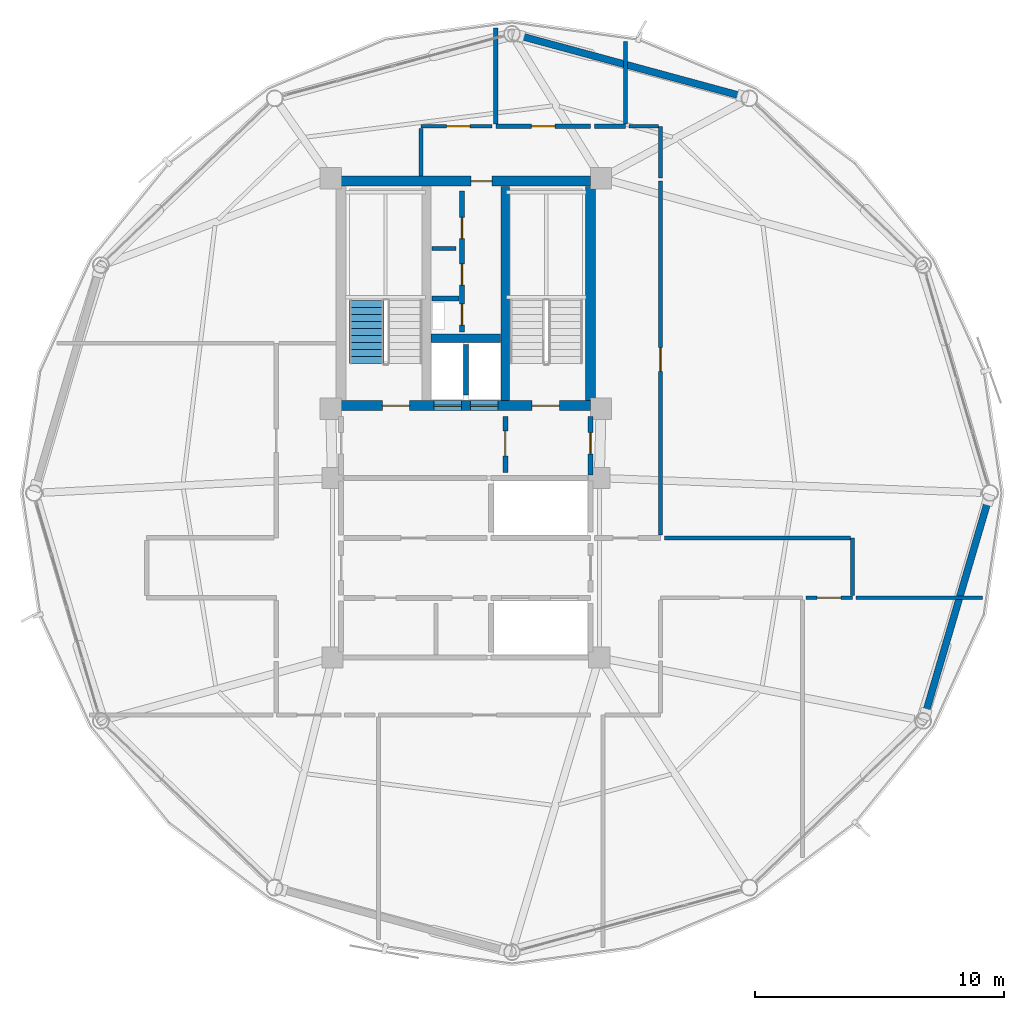
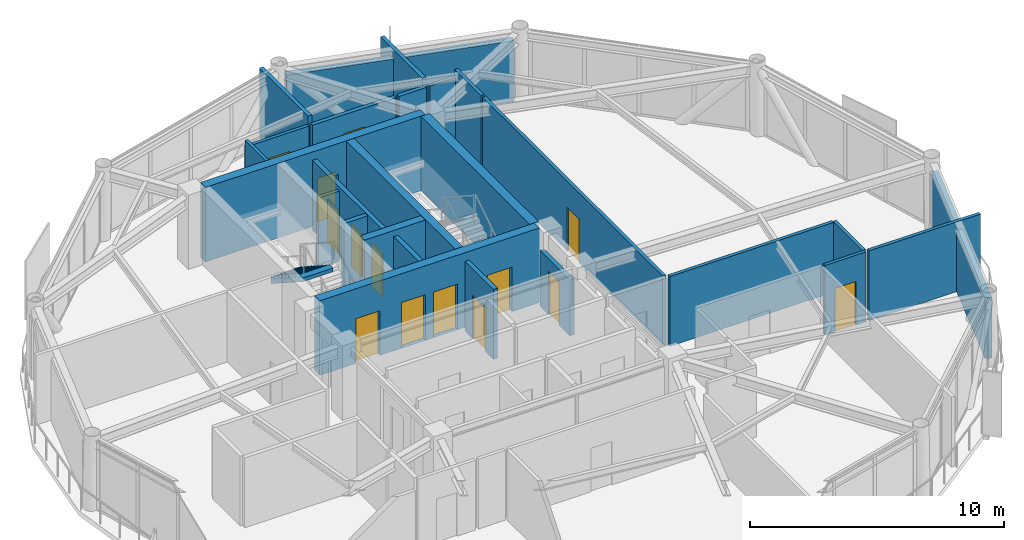
# One storey, part 24 of 28: 26 walls, 14 doors, 1 stair flight, 14 openings, 1 element without a shape of its own.
"""IFC4 building model written with IfcOpenShell, lengths in metres."""

from ifc_helpers import new_model, si_unit, direction, frame, frame_2d, origin, place, context, subcontext, project, spatial, polyline, rectangle, outline, extrude, material, layer, layer_set, type_object, element, fill, aggregate, save


model = new_model("IFC4")

# Units and contexts
model_context = context("Model", 3, precision=1e-05, world=origin(), true_north=direction((0.0, 1.0)))
body_context = subcontext(model_context, "Body", "Model", "MODEL_VIEW")
ifc_project = project(units=[si_unit("LENGTHUNIT", "METRE"), si_unit("AREAUNIT", "SQUARE_METRE"), si_unit("VOLUMEUNIT", "CUBIC_METRE"), si_unit("PLANEANGLEUNIT", "RADIAN"), si_unit("MASSUNIT", "GRAM", prefix="KILO")], contexts=[model_context])

# Site, building, storey
site_placement = place(None, origin())
site = spatial("IfcSite", under=ifc_project, at=site_placement, CompositionType="ELEMENT")
building_placement = place(site_placement, origin())
building = spatial("IfcBuilding", under=site, at=building_placement, Name="Varnakorn Sky Granary", CompositionType="ELEMENT")
storey_placement = place(building_placement, frame((0.0, 0.0, 211.199951171875)))
storey = spatial("IfcBuildingStorey", under=building, at=storey_placement, Name="L53", CompositionType="ELEMENT", Elevation=211.199951171875)

# Walls
ifc_material_1 = material(Name="Concrete C50/60", Category="concrete")
ifc_layer_1 = layer(ifc_material_1, 0.35009765625, Name="Concrete C50/60")
ifc_layer_set_1 = layer_set([ifc_layer_1], Name="Concrete C50/60")
wall_type_1 = type_object("IfcWallType", Name="WT-CW-INT-350", PredefinedType="SHEAR", material=ifc_layer_set_1)
wall_1_placement = place(storey_placement, frame((4.580078125, 3.7099609375, 0.0), z_axis=(0.0, 0.0, 1.0), x_axis=(0.0, 1.0, 0.0)))
element("IfcWall", 1, at=wall_1_placement, inside=storey, type_object=wall_type_1, Name="Stair ST-2 Core Wall L53", PredefinedType="SHEAR", context=body_context, shape_type="SweptSolid", body=[
    extrude(rectangle(XDim=8.580078125, YDim=0.35009765625, at=frame_2d((4.2900390625, 0.0))), origin(), (0.0, 0.0, 1.0), 3.592041015625),
])
wall_2_placement = place(storey_placement, frame((1.610107421875, 6.199951171875, 0.0), z_axis=(0.0, 0.0, 1.0), x_axis=(1.0, 0.0, 0.0)))
element("IfcWall", 2, at=wall_2_placement, inside=storey, type_object=wall_type_1, Name="Core Lift Shaft Cross Wall L53", PredefinedType="SHEAR", context=body_context, shape_type="SweptSolid", body=[
    extrude(rectangle(XDim=2.77978515625, YDim=0.35009765625, at=frame_2d((1.389892578125, 0.0))), origin(), (0.0, 0.0, 1.0), 3.592041015625),
])

# Wall, openings, doors
ifc_layer_2 = layer(ifc_material_1, 0.39990234375, Name="Concrete C50/60")
ifc_layer_set_2 = layer_set([ifc_layer_2], Name="Concrete C50/60")
wall_type_2 = type_object("IfcWallType", Name="WT-CW-SHEAR-400", PredefinedType="SHEAR", material=ifc_layer_set_2)
wall_3_placement = place(storey_placement, frame((-2.0, 3.5, 0.0), z_axis=(0.0, 0.0, 1.0), x_axis=(1.0, 0.0, 0.0)))
wall_3 = element("IfcWall", 3, at=wall_3_placement, inside=storey, type_object=wall_type_2, Name="Core South Shear Wall L53", PredefinedType="SHEAR", context=body_context, shape_type="SweptSolid", body=[
    extrude(rectangle(XDim=10.0, YDim=0.39990234375, at=frame_2d((5.0, 0.0))), origin(), (0.0, 0.0, 1.0), 3.592041015625),
])
opening_1_placement = place(wall_3_placement, frame((1.64990234375, 0.0, 0.0)))
opening_1 = element("IfcOpeningElement", 4, at=opening_1_placement, cuts=wall_3, Name="Opening FD-90", PredefinedType="OPENING", context=body_context, shape_type="SweptSolid", body=[
    extrude(rectangle(XDim=1.10009765625, YDim=2.14990234375, at=frame_2d((0.550048828125, 1.074951171875))), frame((0.0, 0.2099609375, 0.0), z_axis=(0.0, -1.0, 0.0), x_axis=(1.0, 0.0, 0.0)), (0.0, 0.0, 1.0), 0.419921875),
])
opening_2_placement = place(wall_3_placement, frame((7.64990234375, 0.0, 0.0)))
opening_2 = element("IfcOpeningElement", 5, at=opening_2_placement, cuts=wall_3, Name="Opening FD-90", PredefinedType="OPENING", context=body_context, shape_type="SweptSolid", body=[
    extrude(rectangle(XDim=1.10009765625, YDim=2.14990234375, at=frame_2d((0.550048828125, 1.074951171875))), frame((0.0, 0.2099609375, 0.0), z_axis=(0.0, -1.0, 0.0), x_axis=(1.0, 0.0, 0.0)), (0.0, 0.0, 1.0), 0.419921875),
])
opening_3_placement = place(wall_3_placement, frame((3.719970703125, 0.0, 0.0)))
opening_3 = element("IfcOpeningElement", 6, at=opening_3_placement, cuts=wall_3, Name="Opening LD-01", PredefinedType="OPENING", context=body_context, shape_type="SweptSolid", body=[
    extrude(rectangle(XDim=1.10009765625, YDim=2.199951171875, at=frame_2d((0.550048828125, 1.10009765625))), frame((0.0, 0.2099609375, 0.0), z_axis=(0.0, -1.0, 0.0), x_axis=(1.0, 0.0, 0.0)), (0.0, 0.0, 1.0), 0.419921875),
])
opening_4_placement = place(wall_3_placement, frame((5.179931640625, 0.0, 0.0)))
opening_4 = element("IfcOpeningElement", 7, at=opening_4_placement, cuts=wall_3, Name="Opening LD-01", PredefinedType="OPENING", context=body_context, shape_type="SweptSolid", body=[
    extrude(rectangle(XDim=1.10009765625, YDim=2.199951171875, at=frame_2d((0.550048828125, 1.10009765625))), frame((0.0, 0.2099609375, 0.0), z_axis=(0.0, -1.0, 0.0), x_axis=(1.0, 0.0, 0.0)), (0.0, 0.0, 1.0), 0.419921875),
])
ifc_material_2 = material(Name="Brushed Bronze Stainless Steel", Category="steel")
door_type_1 = type_object("IfcDoorType", Name="DR-LD-1100", OperationType="DOUBLE_DOOR_SLIDING", PredefinedType="DOOR", material=ifc_material_2)
door_1_placement = place(opening_3_placement, origin())
door_1 = element("IfcDoor", 8, at=door_1_placement, inside=storey, type_object=door_type_1, Name="Firefighting Lift FFL-1 Landing Door L53", OperationType="DOUBLE_DOOR_SLIDING", OverallHeight=2.199951171875, OverallWidth=1.10009765625, PredefinedType="DOOR", context=body_context, shape_type="SweptSolid", body=[
    extrude(rectangle(XDim=1.10009765625, YDim=2.199951171875, at=frame_2d((0.550048828125, 1.10009765625))), frame((0.0, 0.02490234375, 0.0), z_axis=(0.0, -1.0, 0.0), x_axis=(1.0, 0.0, 0.0)), (0.0, 0.0, 1.0), 0.050048828125),
])
fill(opening_3, door_1)
door_2_placement = place(opening_4_placement, origin())
door_2 = element("IfcDoor", 9, at=door_2_placement, inside=storey, type_object=door_type_1, Name="Firefighting Lift FFL-2 Landing Door L53", OperationType="DOUBLE_DOOR_SLIDING", OverallHeight=2.199951171875, OverallWidth=1.10009765625, PredefinedType="DOOR", context=body_context, shape_type="SweptSolid", body=[
    extrude(rectangle(XDim=1.10009765625, YDim=2.199951171875, at=frame_2d((0.550048828125, 1.10009765625))), frame((0.0, 0.02490234375, 0.0), z_axis=(0.0, -1.0, 0.0), x_axis=(1.0, 0.0, 0.0)), (0.0, 0.0, 1.0), 0.050048828125),
])
fill(opening_4, door_2)
ifc_material_3 = material(Name="Galvanised Painted Steel Leaf", Category="steel")
door_type_2 = type_object("IfcDoorType", Name="DR-STAIR-1100", OperationType="NOTDEFINED", PredefinedType="DOOR", material=ifc_material_3)
door_3_placement = place(opening_1_placement, origin())
door_3 = element("IfcDoor", 10, at=door_3_placement, inside=storey, type_object=door_type_2, Name="Stair ST-1 Protected Fire Door L53", OperationType="SINGLE_SWING_LEFT", OverallHeight=2.14990234375, OverallWidth=1.10009765625, PredefinedType="DOOR", context=body_context, shape_type="SweptSolid", body=[
    extrude(rectangle(XDim=1.10009765625, YDim=2.14990234375, at=frame_2d((0.550048828125, 1.074951171875))), frame((0.0, 0.02490234375, 0.0), z_axis=(0.0, -1.0, 0.0), x_axis=(1.0, 0.0, 0.0)), (0.0, 0.0, 1.0), 0.050048828125),
])
fill(opening_1, door_3)
door_4_placement = place(opening_2_placement, origin())
door_4 = element("IfcDoor", 11, at=door_4_placement, inside=storey, type_object=door_type_2, Name="Stair ST-2 Protected Fire Door L53", OperationType="SINGLE_SWING_RIGHT", OverallHeight=2.14990234375, OverallWidth=1.10009765625, PredefinedType="DOOR", context=body_context, shape_type="SweptSolid", body=[
    extrude(rectangle(XDim=1.10009765625, YDim=2.14990234375, at=frame_2d((0.550048828125, 1.074951171875))), frame((0.0, 0.02490234375, 0.0), z_axis=(0.0, -1.0, 0.0), x_axis=(1.0, 0.0, 0.0)), (0.0, 0.0, 1.0), 0.050048828125),
])
fill(opening_2, door_4)

# Wall, opening, door
wall_4_placement = place(storey_placement, frame((-2.0, 12.5, 0.0), z_axis=(0.0, 0.0, 1.0), x_axis=(1.0, 0.0, 0.0)))
wall_4 = element("IfcWall", 12, at=wall_4_placement, inside=storey, type_object=wall_type_2, Name="Core North Shear Wall L53", PredefinedType="SHEAR", context=body_context, shape_type="SweptSolid", body=[
    extrude(rectangle(XDim=10.0, YDim=0.39990234375, at=frame_2d((5.0, 0.0))), origin(), (0.0, 0.0, 1.0), 3.592041015625),
])
opening_5_placement = place(wall_4_placement, frame((5.199951171875, 0.0, 0.0)))
opening_5 = element("IfcOpeningElement", 13, at=opening_5_placement, cuts=wall_4, Name="Opening FD-60N", PredefinedType="OPENING", context=body_context, shape_type="SweptSolid", body=[
    extrude(rectangle(XDim=0.85009765625, YDim=2.10009765625, at=frame_2d((0.425048828125, 1.050048828125))), frame((0.0, 0.2099609375, 0.0), z_axis=(0.0, -1.0, 0.0), x_axis=(1.0, 0.0, 0.0)), (0.0, 0.0, 1.0), 0.419921875),
])
ifc_material_4 = material(Name="Acoustic Timber Fire Leaf", Category="wood")
door_type_3 = type_object("IfcDoorType", Name="DR-FD60-850", OperationType="NOTDEFINED", PredefinedType="DOOR", material=ifc_material_4)
door_5_placement = place(opening_5_placement, origin())
door_5 = element("IfcDoor", 14, at=door_5_placement, inside=storey, type_object=door_type_3, Name="Core North Service Door L53", OperationType="SINGLE_SWING_LEFT", OverallHeight=2.10009765625, OverallWidth=0.85009765625, PredefinedType="DOOR", context=body_context, shape_type="SweptSolid", body=[
    extrude(rectangle(XDim=0.85009765625, YDim=2.10009765625, at=frame_2d((0.425048828125, 1.050048828125))), frame((0.0, 0.02490234375, 0.0), z_axis=(0.0, -1.0, 0.0), x_axis=(1.0, 0.0, 0.0)), (0.0, 0.0, 1.0), 0.050048828125),
])
fill(opening_5, door_5)

# Walls
wall_5_placement = place(storey_placement, frame((8.0, 3.7099609375, 0.0), z_axis=(0.0, 0.0, 1.0), x_axis=(0.0, 1.0, 0.0)))
element("IfcWall", 15, at=wall_5_placement, inside=storey, type_object=wall_type_2, Name="Core East Shear Wall L53", PredefinedType="SHEAR", context=body_context, shape_type="SweptSolid", body=[
    extrude(rectangle(XDim=8.580078125, YDim=0.39990234375, at=frame_2d((4.2900390625, 0.0))), origin(), (0.0, 0.0, 1.0), 3.592041015625),
])
ifc_material_5 = material(Name="Precast concrete C40/50", Category="concrete")
ifc_layer_3 = layer(ifc_material_5, 0.280029296875, Name="Precast concrete C40/50")
ifc_layer_set_3 = layer_set([ifc_layer_3], Name="Precast concrete C40/50")
wall_type_3 = type_object("IfcWallType", Name="WT-EW-CRN-280", PredefinedType="SOLIDWALL", material=ifc_layer_set_3)
wall_6_placement = place(storey_placement, frame((5.125, 18.33642578125, 0.0), z_axis=(0.0, 0.0, 1.0), x_axis=(0.965084405361, -0.261939096983, 0.0)))
element("IfcWall", 16, at=wall_6_placement, inside=storey, type_object=wall_type_3, Name="Agritech Insulated Precast Facade Wall L53-P03", PredefinedType="SOLIDWALL", context=body_context, shape_type="SweptSolid", body=[
    extrude(rectangle(XDim=9.29345703125, YDim=0.280029296875, at=frame_2d((4.646728515625, 0.0))), origin(), (0.0, 0.0, 1.0), 2.929931640625),
])
wall_7_placement = place(storey_placement, frame((23.942626953125, -0.2734375, 0.0), z_axis=(0.0, 0.0, 1.0), x_axis=(-0.281972946309, -0.959422356186, 0.0)))
element("IfcWall", 17, at=wall_7_placement, inside=storey, type_object=wall_type_3, Name="Agritech Insulated Precast Facade Wall L53-P12", PredefinedType="SOLIDWALL", context=body_context, shape_type="SweptSolid", body=[
    extrude(rectangle(XDim=8.954345703125, YDim=0.280029296875, at=frame_2d((4.47705078125, 0.0))), origin(), (0.0, 0.0, 1.0), 2.929931640625),
])

# Wall, openings, doors
ifc_material_6 = material(Name="Autoclaved Aerated Concrete Blockwork", Category="masonry")
ifc_layer_4 = layer(ifc_material_6, 0.199951171875, Name="Autoclaved Aerated Concrete Blockwork")
ifc_layer_set_4 = layer_set([ifc_layer_4], Name="Autoclaved Aerated Concrete Blockwork")
wall_type_4 = type_object("IfcWallType", Name="WT-FIRE-200", PredefinedType="MOVABLE", material=ifc_layer_set_4)
wall_8_placement = place(storey_placement, frame((2.85009765625, 6.449951171875, 0.0), z_axis=(0.0, 0.0, 1.0), x_axis=(0.0, 1.0, 0.0)))
wall_8 = element("IfcWall", 18, at=wall_8_placement, inside=storey, type_object=wall_type_4, Name="Interior Partition Wall L53-011", PredefinedType="MOVABLE", context=body_context, shape_type="SweptSolid", body=[
    extrude(rectangle(XDim=5.650146484375, YDim=0.199951171875, at=frame_2d((2.8251953125, 0.0))), origin(), (0.0, 0.0, 1.0), 3.360107421875),
])
opening_6_placement = place(wall_8_placement, frame((1.8798828125, 0.0, 0.0)))
opening_6 = element("IfcOpeningElement", 19, at=opening_6_placement, cuts=wall_8, Name="Opening RD-85", PredefinedType="OPENING", context=body_context, shape_type="SweptSolid", body=[
    extrude(rectangle(XDim=0.85009765625, YDim=2.050048828125, at=frame_2d((0.425048828125, 1.02490234375))), frame((0.0, 0.10986328125, 0.0), z_axis=(0.0, -1.0, 0.0), x_axis=(1.0, 0.0, 0.0)), (0.0, 0.0, 1.0), 0.219970703125),
])
opening_7_placement = place(wall_8_placement, frame((3.75, 0.0, 0.0)))
opening_7 = element("IfcOpeningElement", 20, at=opening_7_placement, cuts=wall_8, Name="Opening FD-60N", PredefinedType="OPENING", context=body_context, shape_type="SweptSolid", body=[
    extrude(rectangle(XDim=0.85009765625, YDim=2.10009765625, at=frame_2d((0.425048828125, 1.050048828125))), frame((0.0, 0.10986328125, 0.0), z_axis=(0.0, -1.0, 0.0), x_axis=(1.0, 0.0, 0.0)), (0.0, 0.0, 1.0), 0.219970703125),
])
opening_8_placement = place(wall_8_placement, frame((0.280029296875, 0.0, 0.0)))
opening_8 = element("IfcOpeningElement", 21, at=opening_8_placement, cuts=wall_8, Name="Opening FD-60N", PredefinedType="OPENING", context=body_context, shape_type="SweptSolid", body=[
    extrude(rectangle(XDim=0.85009765625, YDim=2.10009765625, at=frame_2d((0.425048828125, 1.050048828125))), frame((0.0, 0.10986328125, 0.0), z_axis=(0.0, -1.0, 0.0), x_axis=(1.0, 0.0, 0.0)), (0.0, 0.0, 1.0), 0.219970703125),
])
door_6_placement = place(opening_7_placement, origin())
door_6 = element("IfcDoor", 22, at=door_6_placement, inside=storey, type_object=door_type_3, Name="Interior Door L53-011-2", OperationType="SINGLE_SWING_LEFT", OverallHeight=2.10009765625, OverallWidth=0.85009765625, PredefinedType="DOOR", context=body_context, shape_type="SweptSolid", body=[
    extrude(rectangle(XDim=0.85009765625, YDim=2.10009765625, at=frame_2d((0.425048828125, 1.050048828125))), frame((0.0, 0.02490234375, 0.0), z_axis=(0.0, -1.0, 0.0), x_axis=(1.0, 0.0, 0.0)), (0.0, 0.0, 1.0), 0.050048828125),
])
fill(opening_7, door_6)
door_7_placement = place(opening_8_placement, origin())
door_7 = element("IfcDoor", 23, at=door_7_placement, inside=storey, type_object=door_type_3, Name="Interior Door L53-011-3", OperationType="SINGLE_SWING_RIGHT", OverallHeight=2.10009765625, OverallWidth=0.85009765625, PredefinedType="DOOR", context=body_context, shape_type="SweptSolid", body=[
    extrude(rectangle(XDim=0.85009765625, YDim=2.10009765625, at=frame_2d((0.425048828125, 1.050048828125))), frame((0.0, 0.02490234375, 0.0), z_axis=(0.0, -1.0, 0.0), x_axis=(1.0, 0.0, 0.0)), (0.0, 0.0, 1.0), 0.050048828125),
])
fill(opening_8, door_7)
door_type_4 = type_object("IfcDoorType", Name="DR-RIS-850", OperationType="NOTDEFINED", PredefinedType="DOOR", material=ifc_material_3)
door_8_placement = place(opening_6_placement, origin())
door_8 = element("IfcDoor", 24, at=door_8_placement, inside=storey, type_object=door_type_4, Name="MEP Riser Shaft Access Door L53-011-1", OperationType="SINGLE_SWING_RIGHT", OverallHeight=2.050048828125, OverallWidth=0.85009765625, PredefinedType="DOOR", context=body_context, shape_type="SweptSolid", body=[
    extrude(rectangle(XDim=0.85009765625, YDim=2.050048828125, at=frame_2d((0.425048828125, 1.02490234375))), frame((0.0, 0.02490234375, 0.0), z_axis=(0.0, -1.0, 0.0), x_axis=(1.0, 0.0, 0.0)), (0.0, 0.0, 1.0), 0.050048828125),
])
fill(opening_6, door_8)

# Wall, opening, door
wall_9_placement = place(storey_placement, frame((4.580078125, 0.830078125, 0.0), z_axis=(0.0, 0.0, 1.0), x_axis=(0.0, 1.0, 0.0)))
wall_9 = element("IfcWall", 25, at=wall_9_placement, inside=storey, type_object=wall_type_4, Name="Interior Partition Wall L53-012", PredefinedType="MOVABLE", context=body_context, shape_type="SweptSolid", body=[
    extrude(rectangle(XDim=2.239990234375, YDim=0.199951171875, at=frame_2d((1.1201171875, 0.0))), origin(), (0.0, 0.0, 1.0), 3.360107421875),
])
opening_9_placement = place(wall_9_placement, frame((0.659912109375, 0.0, 0.0)))
opening_9 = element("IfcOpeningElement", 26, at=opening_9_placement, cuts=wall_9, Name="Opening FD-60", PredefinedType="OPENING", context=body_context, shape_type="SweptSolid", body=[
    extrude(rectangle(XDim=1.0, YDim=2.10009765625, at=frame_2d((0.5, 1.050048828125))), frame((0.0, 0.10986328125, 0.0), z_axis=(0.0, -1.0, 0.0), x_axis=(1.0, 0.0, 0.0)), (0.0, 0.0, 1.0), 0.219970703125),
])
door_type_5 = type_object("IfcDoorType", Name="DR-FD60-1000", OperationType="NOTDEFINED", PredefinedType="DOOR", material=ifc_material_4)
door_9_placement = place(opening_9_placement, origin())
door_9 = element("IfcDoor", 27, at=door_9_placement, inside=storey, type_object=door_type_5, Name="Interior Door L53-012-1", OperationType="SINGLE_SWING_LEFT", OverallHeight=2.10009765625, OverallWidth=1.0, PredefinedType="DOOR", context=body_context, shape_type="SweptSolid", body=[
    extrude(rectangle(XDim=1.0, YDim=2.10009765625, at=frame_2d((0.5, 1.050048828125))), frame((0.0, 0.02490234375, 0.0), z_axis=(0.0, -1.0, 0.0), x_axis=(1.0, 0.0, 0.0)), (0.0, 0.0, 1.0), 0.050048828125),
])
fill(opening_9, door_9)

wall_10_placement = place(storey_placement, frame((8.0, 0.719970703125, 0.0), z_axis=(0.0, 0.0, 1.0), x_axis=(0.0, 1.0, 0.0)))
wall_10 = element("IfcWall", 28, at=wall_10_placement, inside=storey, type_object=wall_type_4, Name="Interior Partition Wall L53-014", PredefinedType="MOVABLE", context=body_context, shape_type="SweptSolid", body=[
    extrude(rectangle(XDim=2.35009765625, YDim=0.199951171875, at=frame_2d((1.175048828125, 0.0))), origin(), (0.0, 0.0, 1.0), 2.692138671875),
])
opening_10_placement = place(wall_10_placement, frame((0.844970703125, 0.0, 0.0)))
opening_10 = element("IfcOpeningElement", 29, at=opening_10_placement, cuts=wall_10, Name="Opening FD-60N", PredefinedType="OPENING", context=body_context, shape_type="SweptSolid", body=[
    extrude(rectangle(XDim=0.85009765625, YDim=2.10009765625, at=frame_2d((0.425048828125, 1.050048828125))), frame((0.0, 0.10986328125, 0.0), z_axis=(0.0, -1.0, 0.0), x_axis=(1.0, 0.0, 0.0)), (0.0, 0.0, 1.0), 0.219970703125),
])
door_10_placement = place(opening_10_placement, origin())
door_10 = element("IfcDoor", 30, at=door_10_placement, inside=storey, type_object=door_type_3, Name="Interior Door L53-014-1", OperationType="SINGLE_SWING_LEFT", OverallHeight=2.10009765625, OverallWidth=0.85009765625, PredefinedType="DOOR", context=body_context, shape_type="SweptSolid", body=[
    extrude(rectangle(XDim=0.85009765625, YDim=2.10009765625, at=frame_2d((0.425048828125, 1.050048828125))), frame((0.0, 0.02490234375, 0.0), z_axis=(0.0, -1.0, 0.0), x_axis=(1.0, 0.0, 0.0)), (0.0, 0.0, 1.0), 0.050048828125),
])
fill(opening_10, door_10)

ifc_material_7 = material(Name="Gypsum Plasterboard on Steel Stud", Category="steel")
ifc_layer_5 = layer(ifc_material_7, 0.14990234375, Name="Gypsum Plasterboard on Steel Stud")
ifc_layer_set_5 = layer_set([ifc_layer_5], Name="Gypsum Plasterboard on Steel Stud")
wall_type_5 = type_object("IfcWallType", Name="WT-PART-150", PredefinedType="PARTITIONING", material=ifc_layer_set_5)
wall_11_placement = place(storey_placement, frame((16.635009765625, -4.199951171875, 0.0), z_axis=(0.0, 0.0, 1.0), x_axis=(1.0, 0.0, 0.0)))
wall_11 = element("IfcWall", 31, at=wall_11_placement, inside=storey, type_object=wall_type_5, Name="Interior Partition Wall L53-024", PredefinedType="PARTITIONING", context=body_context, shape_type="SweptSolid", body=[
    extrude(rectangle(XDim=1.864990234375, YDim=0.14990234375, at=frame_2d((0.9326171875, 0.0))), origin(), (0.0, 0.0, 1.0), 3.360107421875),
])
opening_11_placement = place(wall_11_placement, frame((0.449951171875, 0.0, 0.0)))
opening_11 = element("IfcOpeningElement", 32, at=opening_11_placement, cuts=wall_11, Name="Opening ID-95", PredefinedType="OPENING", context=body_context, shape_type="SweptSolid", body=[
    extrude(rectangle(XDim=0.949951171875, YDim=2.10009765625, at=frame_2d((0.47509765625, 1.050048828125))), frame((0.0, 0.0849609375, 0.0), z_axis=(0.0, -1.0, 0.0), x_axis=(1.0, 0.0, 0.0)), (0.0, 0.0, 1.0), 0.169921875),
])
ifc_material_8 = material(Name="Solid-Core Teak Veneer Leaf", Category="timber")
door_type_6 = type_object("IfcDoorType", Name="DR-INT-950", OperationType="NOTDEFINED", PredefinedType="DOOR", material=ifc_material_8)
door_11_placement = place(opening_11_placement, origin())
door_11 = element("IfcDoor", 33, at=door_11_placement, inside=storey, type_object=door_type_6, Name="Interior Door L53-024-1", OperationType="SINGLE_SWING_RIGHT", OverallHeight=2.10009765625, OverallWidth=0.949951171875, PredefinedType="DOOR", context=body_context, shape_type="SweptSolid", body=[
    extrude(rectangle(XDim=0.949951171875, YDim=2.10009765625, at=frame_2d((0.47509765625, 1.050048828125))), frame((0.0, 0.02490234375, 0.0), z_axis=(0.0, -1.0, 0.0), x_axis=(1.0, 0.0, 0.0)), (0.0, 0.0, 1.0), 0.050048828125),
])
fill(opening_11, door_11)

wall_12_placement = place(storey_placement, frame((4.050048828125, 14.699951171875, 0.0), z_axis=(0.0, 0.0, 1.0), x_axis=(-1.0, 0.0, 0.0)))
wall_12 = element("IfcWall", 34, at=wall_12_placement, inside=storey, type_object=wall_type_5, Name="Interior Partition Wall L53-026", PredefinedType="PARTITIONING", context=body_context, shape_type="SweptSolid", body=[
    extrude(rectangle(XDim=2.85009765625, YDim=0.14990234375, at=frame_2d((1.425048828125, 0.0))), origin(), (0.0, 0.0, 1.0), 3.011962890625),
])
opening_12_placement = place(wall_12_placement, frame((0.875, 0.0, 0.0)))
opening_12 = element("IfcOpeningElement", 35, at=opening_12_placement, cuts=wall_12, Name="Opening ID-95", PredefinedType="OPENING", context=body_context, shape_type="SweptSolid", body=[
    extrude(rectangle(XDim=0.949951171875, YDim=2.10009765625, at=frame_2d((0.47509765625, 1.050048828125))), frame((0.0, 0.0849609375, 0.0), z_axis=(0.0, -1.0, 0.0), x_axis=(1.0, 0.0, 0.0)), (0.0, 0.0, 1.0), 0.169921875),
])
door_12_placement = place(opening_12_placement, origin())
door_12 = element("IfcDoor", 36, at=door_12_placement, inside=storey, type_object=door_type_6, Name="Interior Door L53-026-1", OperationType="SINGLE_SWING_RIGHT", OverallHeight=2.10009765625, OverallWidth=0.949951171875, PredefinedType="DOOR", context=body_context, shape_type="SweptSolid", body=[
    extrude(rectangle(XDim=0.949951171875, YDim=2.10009765625, at=frame_2d((0.47509765625, 1.050048828125))), frame((0.0, 0.02490234375, 0.0), z_axis=(0.0, -1.0, 0.0), x_axis=(1.0, 0.0, 0.0)), (0.0, 0.0, 1.0), 0.050048828125),
])
fill(opening_12, door_12)

wall_13_placement = place(storey_placement, frame((10.800048828125, -1.68994140625, 0.0), z_axis=(0.0, 0.0, 1.0), x_axis=(0.0, 1.0, 0.0)))
wall_13 = element("IfcWall", 37, at=wall_13_placement, inside=storey, type_object=wall_type_5, Name="Interior Partition Wall L53-027", PredefinedType="PARTITIONING", context=body_context, shape_type="SweptSolid", body=[
    extrude(rectangle(XDim=14.18994140625, YDim=0.14990234375, at=frame_2d((7.094970703125, 0.0))), origin(), (0.0, 0.0, 1.0), 3.360107421875),
])
opening_13_placement = place(wall_13_placement, frame((6.56494140625, 0.0, 0.0)))
opening_13 = element("IfcOpeningElement", 38, at=opening_13_placement, cuts=wall_13, Name="Opening ID-95", PredefinedType="OPENING", context=body_context, shape_type="SweptSolid", body=[
    extrude(rectangle(XDim=0.949951171875, YDim=2.10009765625, at=frame_2d((0.47509765625, 1.050048828125))), frame((0.0, 0.0849609375, 0.0), z_axis=(0.0, -1.0, 0.0), x_axis=(1.0, 0.0, 0.0)), (0.0, 0.0, 1.0), 0.169921875),
])
door_13_placement = place(opening_13_placement, origin())
door_13 = element("IfcDoor", 39, at=door_13_placement, inside=storey, type_object=door_type_6, Name="Interior Door L53-027-1", OperationType="SINGLE_SWING_LEFT", OverallHeight=2.10009765625, OverallWidth=0.949951171875, PredefinedType="DOOR", context=body_context, shape_type="SweptSolid", body=[
    extrude(rectangle(XDim=0.949951171875, YDim=2.10009765625, at=frame_2d((0.47509765625, 1.050048828125))), frame((0.0, 0.02490234375, 0.0), z_axis=(0.0, -1.0, 0.0), x_axis=(1.0, 0.0, 0.0)), (0.0, 0.0, 1.0), 0.050048828125),
])
fill(opening_13, door_13)

# Walls
wall_14_placement = place(storey_placement, frame((1.64990234375, 9.800048828125, 0.0), z_axis=(0.0, 0.0, 1.0), x_axis=(1.0, 0.0, 0.0)))
element("IfcWall", 40, at=wall_14_placement, inside=storey, type_object=wall_type_5, Name="Interior Partition Wall L53-028", PredefinedType="PARTITIONING", context=body_context, shape_type="SweptSolid", body=[
    extrude(rectangle(XDim=0.960205078125, YDim=0.14990234375, at=frame_2d((0.47998046875, 0.0))), origin(), (0.0, 0.0, 1.0), 3.360107421875),
])
wall_15_placement = place(storey_placement, frame((18.635009765625, -4.199951171875, 0.0), z_axis=(0.0, 0.0, 1.0), x_axis=(1.0, 0.0, 0.0)))
element("IfcWall", 41, at=wall_15_placement, inside=storey, type_object=wall_type_5, Name="Interior Partition Wall L53-043", PredefinedType="PARTITIONING", context=body_context, shape_type="SweptSolid", body=[
    extrude(rectangle(XDim=5.0830078125, YDim=0.14990234375, at=frame_2d((2.54150390625, 0.0))), origin(), (0.0, 0.0, 1.0), 3.360107421875),
])
wall_16_placement = place(storey_placement, frame((1.199951171875, 14.614990234375, 0.0), z_axis=(0.0, 0.0, 1.0), x_axis=(0.0, -1.0, 0.0)))
element("IfcWall", 42, at=wall_16_placement, inside=storey, type_object=wall_type_5, Name="Interior Partition Wall L53-050", PredefinedType="PARTITIONING", context=body_context, shape_type="SweptSolid", body=[
    extrude(rectangle(XDim=1.905029296875, YDim=0.14990234375, at=frame_2d((0.95263671875, 0.0))), origin(), (0.0, 0.0, 1.0), 3.360107421875),
])
wall_17_placement = place(storey_placement, frame((10.800048828125, 12.635009765625, 0.0), z_axis=(0.0, 0.0, 1.0), x_axis=(0.0, 1.0, 0.0)))
element("IfcWall", 43, at=wall_17_placement, inside=storey, type_object=wall_type_5, Name="Interior Partition Wall L53-053", PredefinedType="PARTITIONING", context=body_context, shape_type="SweptSolid", body=[
    extrude(rectangle(XDim=2.06494140625, YDim=0.14990234375, at=frame_2d((1.032470703125, 0.0))), origin(), (0.0, 0.0, 1.0), 3.360107421875),
])
wall_18_placement = place(storey_placement, frame((10.715087890625, 14.699951171875, 0.0), z_axis=(0.0, 0.0, 1.0), x_axis=(-1.0, 0.0, 0.0)))
element("IfcWall", 44, at=wall_18_placement, inside=storey, type_object=wall_type_5, Name="Interior Partition Wall L53-054", PredefinedType="PARTITIONING", context=body_context, shape_type="SweptSolid", body=[
    extrude(rectangle(XDim=1.1650390625, YDim=0.14990234375, at=frame_2d((0.58251953125, 0.0))), origin(), (0.0, 0.0, 1.0), 3.011962890625),
])
wall_19_placement = place(storey_placement, frame((18.5, -4.114990234375, 0.0), z_axis=(0.0, 0.0, 1.0), x_axis=(0.0, 1.0, 0.0)))
element("IfcWall", 45, at=wall_19_placement, inside=storey, type_object=wall_type_5, Name="Interior Partition Wall L53-055", PredefinedType="PARTITIONING", context=body_context, shape_type="SweptSolid", body=[
    extrude(rectangle(XDim=2.31494140625, YDim=0.14990234375, at=frame_2d((1.157470703125, 0.0))), origin(), (0.0, 0.0, 1.0), 3.360107421875),
])
wall_20_placement = place(storey_placement, frame((18.4150390625, -1.800048828125, 0.0), z_axis=(0.0, 0.0, 1.0), x_axis=(-1.0, 0.0, 0.0)))
element("IfcWall", 46, at=wall_20_placement, inside=storey, type_object=wall_type_5, Name="Interior Partition Wall L53-056", PredefinedType="PARTITIONING", context=body_context, shape_type="SweptSolid", body=[
    extrude(rectangle(XDim=7.455078125, YDim=0.14990234375, at=frame_2d((3.7275390625, 0.0))), origin(), (0.0, 0.0, 1.0), 3.360107421875),
])

# Wall, opening, door
ifc_material_9 = material(Name="Moisture-Resistant Gypsum on Stud", Category="gypsum")
ifc_layer_6 = layer(ifc_material_9, 0.179931640625, Name="Moisture-Resistant Gypsum on Stud")
ifc_layer_set_6 = layer_set([ifc_layer_6], Name="Moisture-Resistant Gypsum on Stud")
wall_type_6 = type_object("IfcWallType", Name="WT-PLUMB-180", PredefinedType="PLUMBINGWALL", material=ifc_layer_set_6)
wall_21_placement = place(storey_placement, frame((8.0, 14.699951171875, 0.0), z_axis=(0.0, 0.0, 1.0), x_axis=(-1.0, 0.0, 0.0)))
wall_21 = element("IfcWall", 47, at=wall_21_placement, inside=storey, type_object=wall_type_6, Name="Interior Partition Wall L53-020", PredefinedType="PLUMBINGWALL", context=body_context, shape_type="SweptSolid", body=[
    extrude(rectangle(XDim=3.800048828125, YDim=0.179931640625, at=frame_2d((1.89990234375, 0.0))), origin(), (0.0, 0.0, 1.0), 3.011962890625),
])
opening_14_placement = place(wall_21_placement, frame((1.425048828125, 0.0, 0.0)))
opening_14 = element("IfcOpeningElement", 48, at=opening_14_placement, cuts=wall_21, Name="Opening ID-95", PredefinedType="OPENING", context=body_context, shape_type="SweptSolid", body=[
    extrude(rectangle(XDim=0.949951171875, YDim=2.10009765625, at=frame_2d((0.47509765625, 1.050048828125))), frame((0.0, 0.10009765625, 0.0), z_axis=(0.0, -1.0, 0.0), x_axis=(1.0, 0.0, 0.0)), (0.0, 0.0, 1.0), 0.199951171875),
])
door_14_placement = place(opening_14_placement, origin())
door_14 = element("IfcDoor", 49, at=door_14_placement, inside=storey, type_object=door_type_6, Name="Interior Door L53-020-1", OperationType="SINGLE_SWING_RIGHT", OverallHeight=2.10009765625, OverallWidth=0.949951171875, PredefinedType="DOOR", context=body_context, shape_type="SweptSolid", body=[
    extrude(rectangle(XDim=0.949951171875, YDim=2.10009765625, at=frame_2d((0.47509765625, 1.050048828125))), frame((0.0, 0.02490234375, 0.0), z_axis=(0.0, -1.0, 0.0), x_axis=(1.0, 0.0, 0.0)), (0.0, 0.0, 1.0), 0.050048828125),
])
fill(opening_14, door_14)

# Walls
wall_22_placement = place(storey_placement, frame((9.39990234375, 14.699951171875, 0.0), z_axis=(0.0, 0.0, 1.0), x_axis=(-1.0, 0.0, 0.0)))
element("IfcWall", 50, at=wall_22_placement, inside=storey, type_object=wall_type_6, Name="Interior Partition Wall L53-034", PredefinedType="PLUMBINGWALL", context=body_context, shape_type="SweptSolid", body=[
    extrude(rectangle(XDim=1.25, YDim=0.179931640625, at=frame_2d((0.625, 0.0))), origin(), (0.0, 0.0, 1.0), 3.011962890625),
])
wall_23_placement = place(storey_placement, frame((4.199951171875, 18.633056640625, 0.0), z_axis=(0.0, 0.0, 1.0), x_axis=(0.0, -1.0, 0.0)))
element("IfcWall", 51, at=wall_23_placement, inside=storey, type_object=wall_type_6, Name="Interior Partition Wall L53-052", PredefinedType="PLUMBINGWALL", context=body_context, shape_type="SweptSolid", body=[
    extrude(rectangle(XDim=3.8330078125, YDim=0.179931640625, at=frame_2d((1.91650390625, 0.0))), origin(), (0.0, 0.0, 1.0), 3.360107421875),
])
wall_24_placement = place(storey_placement, frame((9.39990234375, 14.800048828125, 0.0), z_axis=(0.0, 0.0, 1.0), x_axis=(0.0, 1.0, 0.0)))
element("IfcWall", 52, at=wall_24_placement, inside=storey, type_object=wall_type_6, Name="Interior Partition Wall L53-057", PredefinedType="PLUMBINGWALL", context=body_context, shape_type="SweptSolid", body=[
    extrude(rectangle(XDim=3.304931640625, YDim=0.179931640625, at=frame_2d((1.65234375, 0.0))), origin(), (0.0, 0.0, 1.0), 3.360107421875),
])
ifc_layer_7 = layer(ifc_material_6, 0.199951171875, Name="Autoclaved Aerated Concrete Blockwork")
ifc_layer_set_7 = layer_set([ifc_layer_7], Name="Autoclaved Aerated Concrete Blockwork")
wall_type_7 = type_object("IfcWallType", Name="WT-SHAFT-200", PredefinedType="SOLIDWALL", material=ifc_layer_set_7)
wall_25_placement = place(storey_placement, frame((3.0, 3.919921875, 0.0), z_axis=(0.0, 0.0, 1.0), x_axis=(0.0, 1.0, 0.0)))
element("IfcWall", 53, at=wall_25_placement, inside=storey, type_object=wall_type_7, Name="Interior Partition Wall L53-001", PredefinedType="SOLIDWALL", context=body_context, shape_type="SweptSolid", body=[
    extrude(rectangle(XDim=2.030029296875, YDim=0.199951171875, at=frame_2d((1.01513671875, 0.0))), origin(), (0.0, 0.0, 1.0), 3.360107421875),
])
wall_26_placement = place(storey_placement, frame((1.64990234375, 7.800048828125, 0.0), z_axis=(0.0, 0.0, 1.0), x_axis=(1.0, 0.0, 0.0)))
element("IfcWall", 54, at=wall_26_placement, inside=storey, type_object=wall_type_7, Name="Interior Partition Wall L53-002", PredefinedType="SOLIDWALL", context=body_context, shape_type="SweptSolid", body=[
    extrude(rectangle(XDim=1.070068359375, YDim=0.199951171875, at=frame_2d((0.53515625, 0.0))), origin(), (0.0, 0.0, 1.0), 3.360107421875),
])

# Stair, stair flight
ifc_material_10 = material(Name="Concrete C40/50", Category="concrete")
stair_type = type_object("IfcStairType", Name="ST-MAIN-ASSEMBLY", PredefinedType="HALF_TURN_STAIR", material=ifc_material_10)
stair_placement = place(storey_placement, origin())
stair = element("IfcStair", 55, at=stair_placement, inside=storey, type_object=stair_type, Name="L53 Protected Exit Stair ST-1", PredefinedType="HALF_TURN_STAIR")
stair_flight_type = type_object("IfcStairFlightType", Name="ST-MAIN-FLIGHT", PredefinedType="STRAIGHT", material=ifc_material_10)
stair_flight_placement = place(storey_placement, frame((-0.97998046875, 7.719970703125, 1.800048828125), z_axis=(0.0, 0.0, 1.0), x_axis=(0.0, -1.0, 0.0)))
stair_flight = element("IfcStairFlight", 56, at=stair_flight_placement, type_object=stair_flight_type, Name="ST-1 flight 2", NumberOfRisers=10, NumberOfTreads=9, PredefinedType="STRAIGHT", RiserHeight=0.18, TreadLength=0.28, context=body_context, shape_type="SweptSolid", body=[
    extrude(outline(polyline([(0.0, -0.14990234375), (0.0, 0.0), (0.0, 0.179931640625), (0.280029296875, 0.179931640625), (0.280029296875, 0.360107421875), (0.56005859375, 0.360107421875), (0.56005859375, 0.5400390625), (0.840087890625, 0.5400390625), (0.840087890625, 0.719970703125), (1.1201171875, 0.719970703125), (1.1201171875, 0.89990234375), (1.39990234375, 0.89990234375), (1.39990234375, 1.080078125), (1.679931640625, 1.080078125), (1.679931640625, 1.260009765625), (1.9599609375, 1.260009765625), (1.9599609375, 1.43994140625), (2.239990234375, 1.43994140625), (2.239990234375, 1.6201171875), (2.52001953125, 1.6201171875), (2.52001953125, 1.800048828125), (2.52001953125, 1.44189453125), (0.050048828125, -0.14990234375), (0.0, -0.14990234375)])), frame((0.0, 0.68994140625, 0.0), z_axis=(0.0, -1.0, 0.0), x_axis=(1.0, 0.0, 0.0)), (0.0, 0.0, 1.0), 1.3798828125),
])
aggregate(stair, [stair_flight])

save(model, "model.ifc")
